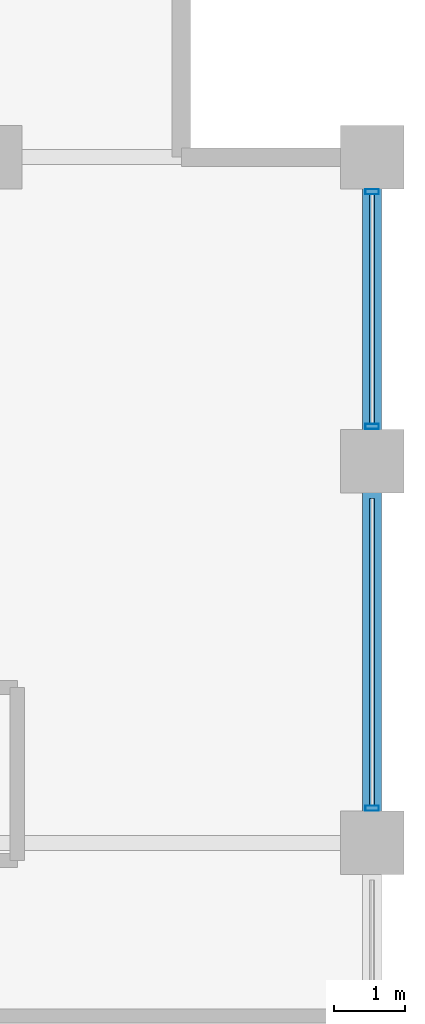
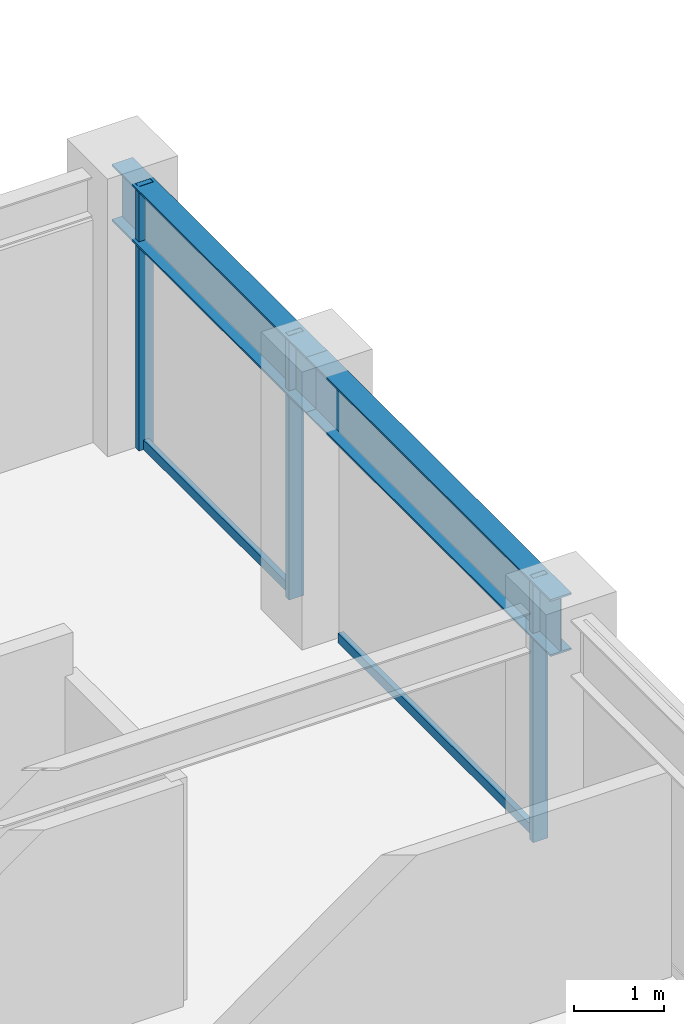
# One storey, part 25 of 32: 5 members, 2 beams, 1 element without a shape of its own.
"""IFC4 building model written with IfcOpenShell, lengths in metres."""

from ifc_helpers import new_model, si_unit, direction, frame, origin, origin_2d, place, context, subcontext, project, spatial, hollow_rectangle, i_section, extrude, material, layer, layer_set, material_profile, profile_set, type_object, element, aggregate, save


model = new_model("IFC4")

# Units and contexts
model_context = context("Model", 3, precision=1e-05, world=origin(), true_north=direction((0.0, 1.0)))
body_context = subcontext(model_context, "Body", "Model", "MODEL_VIEW")
ifc_project = project(units=[si_unit("LENGTHUNIT", "METRE"), si_unit("AREAUNIT", "SQUARE_METRE"), si_unit("VOLUMEUNIT", "CUBIC_METRE"), si_unit("PLANEANGLEUNIT", "RADIAN"), si_unit("MASSUNIT", "GRAM", prefix="KILO")], contexts=[model_context])

# Site, building, storey
site_placement = place(None, origin())
site = spatial("IfcSite", under=ifc_project, at=site_placement, CompositionType="ELEMENT")
building_placement = place(site_placement, origin())
building = spatial("IfcBuilding", under=site, at=building_placement, Name="Surkhivell Harbour Commons", CompositionType="ELEMENT")
storey_placement = place(building_placement, frame((0.0, 0.0, 204.75)))
storey = spatial("IfcBuildingStorey", under=building, at=storey_placement, Name="L53", CompositionType="ELEMENT", Elevation=204.75)

# Beams
ifc_material_1 = material(Name="Steel S355", Category="steel")
ifc_material_profile_1 = material_profile(ifc_material_1, i_section(OverallWidth=0.26806640625, OverallDepth=0.77001953125, WebThickness=0.015625, FlangeThickness=0.025390625, at=origin_2d()), Name="UB762x267x197")
ifc_profile_set_1 = profile_set([ifc_material_profile_1], Name="Steel S355")
beam_type = type_object("IfcBeamType", Name="BM-SPN-762", PredefinedType="SPANDREL", material=ifc_profile_set_1)
beam_1_placement = place(storey_placement, frame((21.60009765625, 10.800048828125, 3.18505859375), z_axis=(0.0, 1.0, 0.0), x_axis=(-1.0, 0.0, 0.0)))
element("IfcBeam", 1, at=beam_1_placement, inside=storey, type_object=beam_type, Name="L53 Tube Spandrel (21.6,10.8)", PredefinedType="SPANDREL", context=body_context, shape_type="SweptSolid", body=[
    extrude(i_section(OverallWidth=0.26806640625, OverallDepth=0.77001953125, WebThickness=0.015625, FlangeThickness=0.025390625, at=origin_2d()), origin(), (0.0, 0.0, 1.0), 5.39990234375),
])
beam_2_placement = place(storey_placement, frame((21.60009765625, 16.199951171875, 3.18505859375), z_axis=(0.0, 1.0, 0.0), x_axis=(-1.0, 0.0, 0.0)))
element("IfcBeam", 2, at=beam_2_placement, inside=storey, type_object=beam_type, Name="L53 Tube Spandrel (21.6,16.2)", PredefinedType="SPANDREL", context=body_context, shape_type="SweptSolid", body=[
    extrude(i_section(OverallWidth=0.26806640625, OverallDepth=0.77001953125, WebThickness=0.015625, FlangeThickness=0.025390625, at=origin_2d()), origin(), (0.0, 0.0, 1.0), 4.300048828125),
])

# Curtain wall, members
ifc_material_2 = material(Name="Anodised pale-metal aluminium and insulated glazing", Category="aluminium")
ifc_layer = layer(ifc_material_2, 0.18994140625)
ifc_layer_set = layer_set([ifc_layer], Name="Anodised pale-metal aluminium and insulated glazing")
curtain_wall_type = type_object("IfcCurtainWallType", Name="CW-SYS-Z3", PredefinedType="NOTDEFINED", material=ifc_layer_set)
curtain_wall_placement = place(storey_placement, origin())
curtain_wall = element("IfcCurtainWall", 3, at=curtain_wall_placement, inside=storey, type_object=curtain_wall_type, Name="L53 Curtain Wall CW-L53-E02", PredefinedType="NOTDEFINED")
ifc_material_3 = material(Name="Anodised pale-metal aluminium alloy 6063-T6", Category="aluminium")
ifc_material_profile_2 = material_profile(ifc_material_3, hollow_rectangle(XDim=0.074951171875, YDim=0.18994140625, WallThickness=0.00390625, at=origin_2d()), Name="ALU-MULL-75x190")
ifc_profile_set_2 = profile_set([ifc_material_profile_2], Name="Anodised pale-metal aluminium alloy 6063-T6")
member_type_1 = type_object("IfcMemberType", Name="CWM-190", PredefinedType="MULLION", material=ifc_profile_set_2)
member_1_placement = place(storey_placement, frame((21.60009765625, 11.28955078125, 0.0), z_axis=(0.0, 0.0, 1.0), x_axis=(0.0, 1.0, 0.0)))
member_1 = element("IfcMember", 4, at=member_1_placement, type_object=member_type_1, Name="CW-Z3 mullion 4", PredefinedType="MULLION", context=body_context, shape_type="SweptSolid", body=[
    extrude(hollow_rectangle(XDim=0.074951171875, YDim=0.18994140625, WallThickness=0.00390625, at=origin_2d()), origin(), (0.0, 0.0, 1.0), 3.570068359375),
])
member_2_placement = place(storey_placement, frame((21.60009765625, 16.689453125, 0.0), z_axis=(0.0, 0.0, 1.0), x_axis=(0.0, 1.0, 0.0)))
member_2 = element("IfcMember", 5, at=member_2_placement, type_object=member_type_1, Name="CW-Z3 mullion 5", PredefinedType="MULLION", context=body_context, shape_type="SweptSolid", body=[
    extrude(hollow_rectangle(XDim=0.074951171875, YDim=0.18994140625, WallThickness=0.00390625, at=origin_2d()), origin(), (0.0, 0.0, 1.0), 3.570068359375),
])
member_3_placement = place(storey_placement, frame((21.60009765625, 20.010498046875, 0.0), z_axis=(0.0, 0.0, 1.0), x_axis=(0.0, 1.0, 0.0)))
member_3 = element("IfcMember", 6, at=member_3_placement, type_object=member_type_1, Name="CW-Z3 mullion 6", PredefinedType="MULLION", context=body_context, shape_type="SweptSolid", body=[
    extrude(hollow_rectangle(XDim=0.074951171875, YDim=0.18994140625, WallThickness=0.00390625, at=origin_2d()), origin(), (0.0, 0.0, 1.0), 3.570068359375),
])
ifc_material_4 = material(Name="Champagne anodised aluminium alloy 6063-T6", Category="aluminium")
ifc_material_profile_3 = material_profile(ifc_material_4, hollow_rectangle(XDim=0.070068359375, YDim=0.1298828125, WallThickness=0.00341796875, at=origin_2d()), Name="ALU-TRAN-70x130")
ifc_profile_set_3 = profile_set([ifc_material_profile_3], Name="Champagne anodised aluminium alloy 6063-T6")
member_type_2 = type_object("IfcMemberType", Name="CWT-130", PredefinedType="USERDEFINED", material=ifc_profile_set_3)
member_4_placement = place(storey_placement, frame((21.60009765625, 11.326904296875, 0.06494140625), z_axis=(0.0, 1.0, 0.0), x_axis=(-1.0, 0.0, 0.0)))
member_4 = element("IfcMember", 7, at=member_4_placement, type_object=member_type_2, Name="CW-Z3 transom 4.1", ObjectType="TRANSOM", PredefinedType="USERDEFINED", context=body_context, shape_type="SweptSolid", body=[
    extrude(hollow_rectangle(XDim=0.070068359375, YDim=0.1298828125, WallThickness=0.00341796875, at=origin_2d()), origin(), (0.0, 0.0, 1.0), 4.34619140625),
])
member_5_placement = place(storey_placement, frame((21.60009765625, 16.72705078125, 0.06494140625), z_axis=(0.0, 1.0, 0.0), x_axis=(-1.0, 0.0, 0.0)))
member_5 = element("IfcMember", 8, at=member_5_placement, type_object=member_type_2, Name="CW-Z3 transom 5.1", ObjectType="TRANSOM", PredefinedType="USERDEFINED", context=body_context, shape_type="SweptSolid", body=[
    extrude(hollow_rectangle(XDim=0.070068359375, YDim=0.1298828125, WallThickness=0.00341796875, at=origin_2d()), origin(), (0.0, 0.0, 1.0), 3.245849609375),
])
aggregate(curtain_wall, [member_1, member_4, member_2, member_3, member_5])

save(model, "model.ifc")
